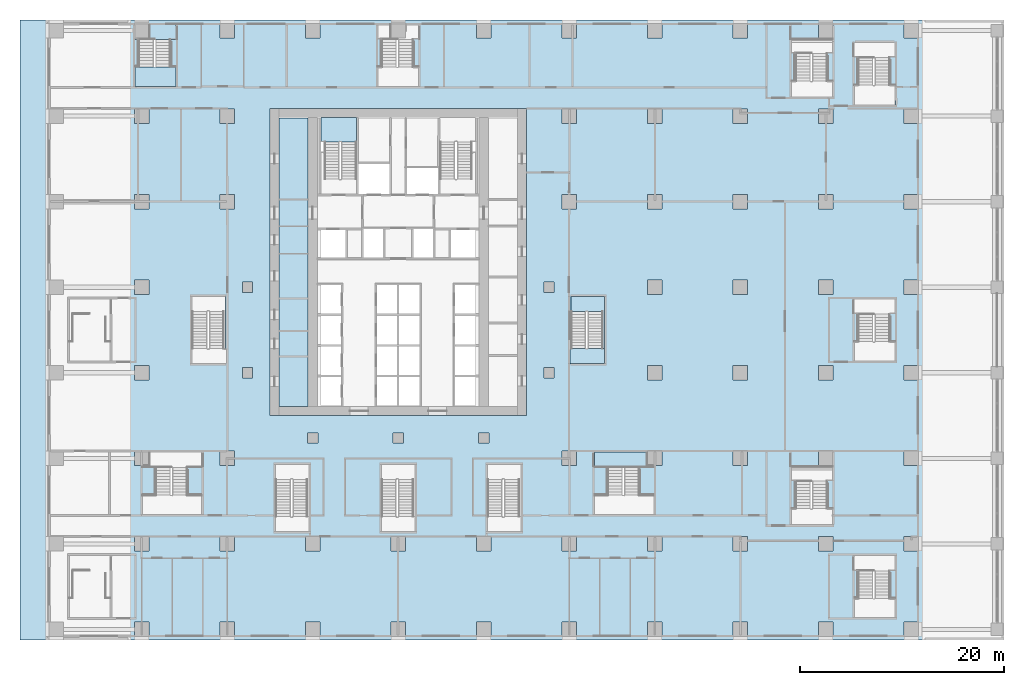
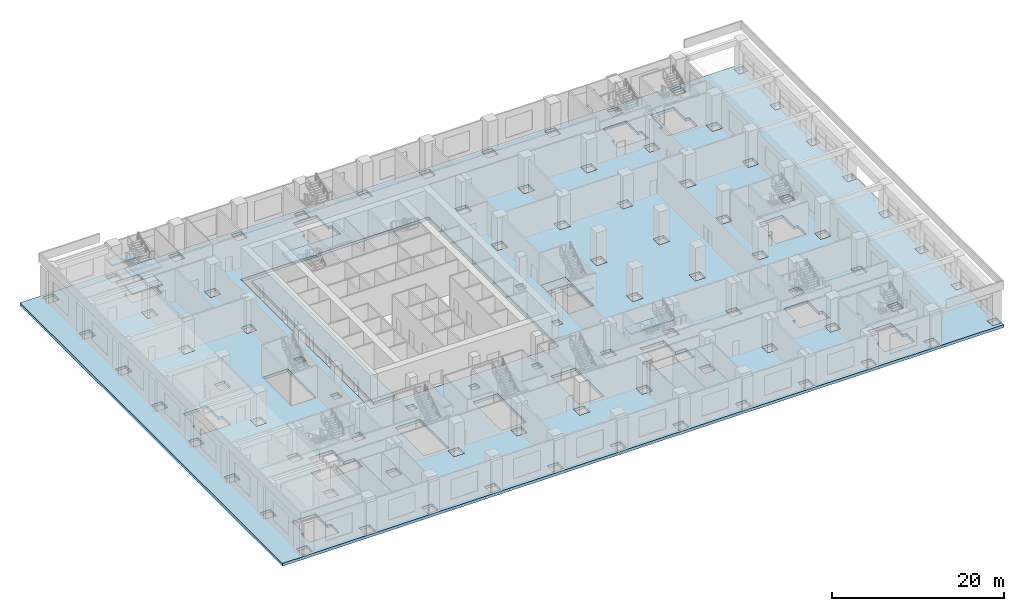
# One storey, part 5 of 29: 9 slabs, 4 elements without a shape of their own.
"""IFC4 building model written with IfcOpenShell, lengths in metres."""

from ifc_helpers import new_model, si_unit, direction, frame, origin, place, context, subcontext, project, spatial, polyline, outline, extrude, material, layer, layer_set, type_object, element, aggregate, save


model = new_model("IFC4")

# Units and contexts
model_context = context("Model", 3, precision=1e-05, world=origin(), true_north=direction((0.0, 1.0)))
body_context = subcontext(model_context, "Body", "Model", "MODEL_VIEW")
ifc_project = project(units=[si_unit("LENGTHUNIT", "METRE"), si_unit("AREAUNIT", "SQUARE_METRE"), si_unit("VOLUMEUNIT", "CUBIC_METRE"), si_unit("PLANEANGLEUNIT", "RADIAN"), si_unit("MASSUNIT", "GRAM", prefix="KILO")], contexts=[model_context])

# Site, building, storey
site_placement = place(None, origin())
site = spatial("IfcSite", under=ifc_project, at=site_placement, CompositionType="ELEMENT")
building_placement = place(site_placement, origin())
building = spatial("IfcBuilding", under=site, at=building_placement, Name="Vermilion Ogive Tower", CompositionType="ELEMENT")
storey_placement = place(building_placement, frame((0.0, 0.0, 7.5)))
storey = spatial("IfcBuildingStorey", under=building, at=storey_placement, Name="L01", CompositionType="ELEMENT", Elevation=7.5)

# Slabs
ifc_material_1 = material(Name="Concrete B40", Category="concrete")
ifc_layer_1 = layer(ifc_material_1, 0.39990234375)
ifc_layer_set_1 = layer_set([ifc_layer_1], Name="Core floor slab 400 B40")
slab_type_1 = type_object("IfcSlabType", Name="Core floor slab 400 B40", PredefinedType="FLOOR", material=ifc_layer_set_1)
slab_1_placement = place(storey_placement, frame((0.0, 0.0, -0.39990234375)))
element("IfcSlab", 1, at=slab_1_placement, inside=storey, type_object=slab_type_1, Name="L01-CK-FS1", PredefinedType="FLOOR", context=body_context, shape_type="SweptSolid", body=[
    extrude(outline(polyline([(-8.85400390625, -7.49609375), (-11.696044921875, -7.49609375), (-11.696044921875, 20.845947265625), (-8.85400390625, 20.845947265625), (-8.85400390625, -7.49609375)])), origin(), (0.0, 0.0, 1.0), 0.39990234375),
])
slab_2_placement = place(storey_placement, frame((0.0, 0.0, -0.39990234375)))
element("IfcSlab", 2, at=slab_2_placement, inside=storey, type_object=slab_type_1, Name="L01-SF-ST8-1", PredefinedType="FLOOR", context=body_context, shape_type="SweptSolid", body=[
    extrude(outline(polyline([(16.949951171875, 3.300048828125), (16.949951171875, 1.798095703125), (18.449951171875, 1.798095703125), (18.449951171875, 1.800048828125), (18.60009765625, 1.800048828125), (18.60009765625, 1.798095703125), (20.10009765625, 1.798095703125), (20.10009765625, -3.300048828125), (20.25, -3.300048828125), (20.25, 3.300048828125), (16.949951171875, 3.300048828125)])), origin(), (0.0, 0.0, 1.0), 0.39990234375),
])
ifc_material_2 = material(Name="Concrete B45", Category="concrete")
ifc_layer_2 = layer(ifc_material_2, 0.39990234375)
ifc_layer_set_2 = layer_set([ifc_layer_2], Name="Podium floor slab 400")
slab_type_2 = type_object("IfcSlabType", Name="Podium floor slab 400", PredefinedType="FLOOR", material=ifc_layer_set_2)
slab_3_placement = place(storey_placement, frame((0.0, 0.0, -0.39990234375)))
element("IfcSlab", 3, at=slab_3_placement, inside=storey, type_object=slab_type_2, Name="L01 floor slab 1", PredefinedType="FLOOR", context=body_context, shape_type="SweptSolid", body=[
    extrude(outline(polyline([(-37.14990234375, -30.449951171875), (59.5, -30.449951171875), (59.5, 30.449951171875), (-37.14990234375, 30.449951171875), (-37.14990234375, -30.449951171875)]), holes=[polyline([(-34.300048828125, -30.10009765625), (-34.300048828125, -28.699951171875), (-32.89990234375, -28.699951171875), (-32.89990234375, -30.10009765625), (-34.300048828125, -30.10009765625)]), polyline([(-25.89990234375, -28.699951171875), (-24.5, -28.699951171875), (-24.5, -30.10009765625), (-25.89990234375, -30.10009765625), (-25.89990234375, -28.699951171875)]), polyline([(-17.5, -28.699951171875), (-16.10009765625, -28.699951171875), (-16.10009765625, -30.10009765625), (-17.5, -30.10009765625), (-17.5, -28.699951171875)]), polyline([(-31.949951171875, -26.35009765625), (-31.949951171875, -23.64990234375), (-30.300048828125, -23.64990234375), (-30.300048828125, -23.652099609375), (-28.800048828125, -23.652099609375), (-28.800048828125, -26.35009765625), (-28.300048828125, -26.35009765625), (-28.300048828125, -28.275146484375), (-32.2998046875, -28.275146484375), (-32.2998046875, -26.35009765625), (-31.949951171875, -26.35009765625)]), polyline([(-17.5, -20.300048828125), (-16.10009765625, -20.300048828125), (-16.10009765625, -21.699951171875), (-17.5, -21.699951171875), (-17.5, -20.300048828125)]), polyline([(-34.300048828125, -20.300048828125), (-32.89990234375, -20.300048828125), (-32.89990234375, -21.699951171875), (-34.300048828125, -21.699951171875), (-34.300048828125, -20.300048828125)]), polyline([(-25.89990234375, -21.699951171875), (-25.89990234375, -20.300048828125), (-24.5, -20.300048828125), (-24.5, -21.699951171875), (-25.89990234375, -21.699951171875)]), polyline([(-22.35009765625, -13.5), (-22.199951171875, -13.5), (-22.199951171875, -13.501953125), (-20.699951171875, -13.501953125), (-20.699951171875, -13.5), (-20.699951171875, -13.5), (-20.699951171875, -16.199951171875), (-19.300048828125, -16.199951171875), (-19.300048828125, -18.125), (-25.099853515625, -18.125), (-25.099853515625, -16.199951171875), (-23.85009765625, -16.199951171875), (-23.85009765625, -13.5), (-23.85009765625, -13.5), (-23.85009765625, -13.501953125), (-22.35009765625, -13.501953125), (-22.35009765625, -13.5)]), polyline([(-34.300048828125, -11.89990234375), (-32.89990234375, -11.89990234375), (-32.89990234375, -13.300048828125), (-34.300048828125, -13.300048828125), (-34.300048828125, -11.89990234375)]), polyline([(-17.5, -13.300048828125), (-17.5, -11.89990234375), (-16.10009765625, -11.89990234375), (-16.10009765625, -13.300048828125), (-17.5, -13.300048828125)]), polyline([(-25.89990234375, -11.89990234375), (-24.5, -11.89990234375), (-24.5, -13.300048828125), (-25.89990234375, -13.300048828125), (-25.89990234375, -11.89990234375)]), polyline([(-34.300048828125, -3.5), (-32.89990234375, -3.5), (-32.89990234375, -4.89990234375), (-34.300048828125, -4.89990234375), (-34.300048828125, -3.5)]), polyline([(-25.89990234375, -4.89990234375), (-25.89990234375, -3.5), (-24.5, -3.5), (-24.5, -4.89990234375), (-25.89990234375, -4.89990234375)]), polyline([(-31.949951171875, 1.550048828125), (-30.300048828125, 1.550048828125), (-30.300048828125, 1.548095703125), (-28.800048828125, 1.548095703125), (-28.800048828125, -1.14990234375), (-28.300048828125, -1.14990234375), (-28.300048828125, -3.074951171875), (-32.3125, -3.074951171875), (-32.3125, -1.14990234375), (-31.949951171875, -1.14990234375), (-31.949951171875, 1.550048828125)]), polyline([(-20.25, 3.300048828125), (-16.949951171875, 3.300048828125), (-16.949951171875, -3.300048828125), (-20.25, -3.300048828125), (-20.25, 3.300048828125)]), polyline([(-25.89990234375, 3.5), (-25.89990234375, 4.89990234375), (-24.5, 4.89990234375), (-24.5, 3.5), (-25.89990234375, 3.5)]), polyline([(-34.300048828125, 4.89990234375), (-32.89990234375, 4.89990234375), (-32.89990234375, 3.5), (-34.300048828125, 3.5), (-34.300048828125, 4.89990234375)]), polyline([(-25.89990234375, 13.300048828125), (-24.5, 13.300048828125), (-24.5, 11.89990234375), (-25.89990234375, 11.89990234375), (-25.89990234375, 13.300048828125)]), polyline([(-34.300048828125, 11.89990234375), (-34.300048828125, 13.300048828125), (-32.89990234375, 13.300048828125), (-32.89990234375, 11.89990234375), (-34.300048828125, 11.89990234375)]), polyline([(-25.89990234375, 21.699951171875), (-24.5, 21.699951171875), (-24.5, 20.300048828125), (-25.89990234375, 20.300048828125), (-25.89990234375, 21.699951171875)]), polyline([(-17.5, 21.699951171875), (-16.10009765625, 21.699951171875), (-16.10009765625, 20.300048828125), (-17.5, 20.300048828125), (-17.5, 21.699951171875)]), polyline([(-34.300048828125, 21.699951171875), (-32.89990234375, 21.699951171875), (-32.89990234375, 20.300048828125), (-34.300048828125, 20.300048828125), (-34.300048828125, 21.699951171875)]), polyline([(-22.35009765625, 28.548095703125), (-22.35009765625, 25.85009765625), (-21.85009765625, 25.85009765625), (-21.85009765625, 23.925048828125), (-25.849853515625, 23.925048828125), (-25.849853515625, 25.85009765625), (-25.5, 25.85009765625), (-25.5, 28.548095703125), (-24.0, 28.548095703125), (-24.0, 28.550048828125), (-23.85009765625, 28.550048828125), (-23.85009765625, 28.548095703125), (-22.35009765625, 28.548095703125)]), polyline([(-17.5, 30.10009765625), (-16.10009765625, 30.10009765625), (-16.10009765625, 28.699951171875), (-17.5, 28.699951171875), (-17.5, 30.10009765625)]), polyline([(-34.300048828125, 30.10009765625), (-32.89990234375, 30.10009765625), (-32.89990234375, 28.699951171875), (-34.300048828125, 28.699951171875), (-34.300048828125, 30.10009765625)]), polyline([(-25.89990234375, 28.699951171875), (-25.89990234375, 30.10009765625), (-24.5, 30.10009765625), (-24.5, 28.699951171875), (-25.89990234375, 28.699951171875)]), polyline([(16.10009765625, -28.699951171875), (17.5, -28.699951171875), (17.5, -30.10009765625), (16.10009765625, -30.10009765625), (16.10009765625, -28.699951171875)]), polyline([(-0.699951171875, -28.699951171875), (0.699951171875, -28.699951171875), (0.699951171875, -30.10009765625), (-0.699951171875, -30.10009765625), (-0.699951171875, -28.699951171875)]), polyline([(7.699951171875, -30.10009765625), (7.699951171875, -28.699951171875), (9.10009765625, -28.699951171875), (9.10009765625, -30.10009765625), (7.699951171875, -30.10009765625)]), polyline([(-9.10009765625, -28.699951171875), (-7.699951171875, -28.699951171875), (-7.699951171875, -30.10009765625), (-9.10009765625, -30.10009765625), (-9.10009765625, -28.699951171875)]), polyline([(7.699951171875, -20.300048828125), (9.10009765625, -20.300048828125), (9.10009765625, -21.699951171875), (7.699951171875, -21.699951171875), (7.699951171875, -20.300048828125)]), polyline([(-0.699951171875, -21.699951171875), (-0.699951171875, -20.300048828125), (0.699951171875, -20.300048828125), (0.699951171875, -21.699951171875), (-0.699951171875, -21.699951171875)]), polyline([(-9.10009765625, -20.300048828125), (-7.699951171875, -20.300048828125), (-7.699951171875, -21.699951171875), (-9.10009765625, -21.699951171875), (-9.10009765625, -20.300048828125)]), polyline([(8.75, -13.199951171875), (12.050048828125, -13.199951171875), (12.050048828125, -19.800048828125), (8.75, -19.800048828125), (8.75, -13.199951171875)]), polyline([(-12.050048828125, -13.199951171875), (-8.75, -13.199951171875), (-8.75, -19.800048828125), (-12.050048828125, -19.800048828125), (-12.050048828125, -13.199951171875)]), polyline([(-1.64990234375, -13.199951171875), (1.64990234375, -13.199951171875), (1.64990234375, -19.800048828125), (-1.64990234375, -19.800048828125), (-1.64990234375, -13.199951171875)]), polyline([(-8.89990234375, -10.10009765625), (-7.89990234375, -10.10009765625), (-7.89990234375, -11.10009765625), (-8.89990234375, -11.10009765625), (-8.89990234375, -10.10009765625)]), polyline([(7.89990234375, -10.10009765625), (8.89990234375, -10.10009765625), (8.89990234375, -11.10009765625), (7.89990234375, -11.10009765625), (7.89990234375, -10.10009765625)]), polyline([(-0.5, -11.10009765625), (-0.5, -10.10009765625), (0.5, -10.10009765625), (0.5, -11.10009765625), (-0.5, -11.10009765625)]), polyline([(14.300048828125, -3.699951171875), (15.300048828125, -3.699951171875), (15.300048828125, -4.699951171875), (14.300048828125, -4.699951171875), (14.300048828125, -3.699951171875)]), polyline([(-15.300048828125, -3.699951171875), (-14.300048828125, -3.699951171875), (-14.300048828125, -4.699951171875), (-15.300048828125, -4.699951171875), (-15.300048828125, -3.699951171875)]), polyline([(14.300048828125, 3.699951171875), (14.300048828125, 4.699951171875), (15.300048828125, 4.699951171875), (15.300048828125, 3.699951171875), (14.300048828125, 3.699951171875)]), polyline([(-15.300048828125, 4.699951171875), (-14.300048828125, 4.699951171875), (-14.300048828125, 3.699951171875), (-15.300048828125, 3.699951171875), (-15.300048828125, 4.699951171875)]), polyline([(-12.60009765625, 21.75), (12.60009765625, 21.75), (12.60009765625, -8.39990234375), (-12.60009765625, -8.39990234375), (-12.60009765625, 21.75)]), polyline([(-17.5, 13.300048828125), (-16.10009765625, 13.300048828125), (-16.10009765625, 11.89990234375), (-17.5, 11.89990234375), (-17.5, 13.300048828125)]), polyline([(16.10009765625, 21.699951171875), (17.5, 21.699951171875), (17.5, 20.300048828125), (16.10009765625, 20.300048828125), (16.10009765625, 21.699951171875)]), polyline([(-0.14990234375, 28.548095703125), (-0.14990234375, 28.550048828125), (0.0, 28.550048828125), (0.0, 28.548095703125), (1.5, 28.548095703125), (1.5, 25.85009765625), (2.0, 25.85009765625), (2.0, 23.925048828125), (-2.0, 23.925048828125), (-2.0, 25.85009765625), (-1.64990234375, 25.85009765625), (-1.64990234375, 28.548095703125), (-0.14990234375, 28.548095703125)]), polyline([(-0.699951171875, 30.10009765625), (0.699951171875, 30.10009765625), (0.699951171875, 28.699951171875), (-0.699951171875, 28.699951171875), (-0.699951171875, 30.10009765625)]), polyline([(7.699951171875, 30.10009765625), (9.10009765625, 30.10009765625), (9.10009765625, 28.699951171875), (7.699951171875, 28.699951171875), (7.699951171875, 30.10009765625)]), polyline([(-9.10009765625, 28.699951171875), (-9.10009765625, 30.10009765625), (-7.699951171875, 30.10009765625), (-7.699951171875, 28.699951171875), (-9.10009765625, 28.699951171875)]), polyline([(41.300048828125, -28.699951171875), (42.699951171875, -28.699951171875), (42.699951171875, -30.10009765625), (41.300048828125, -30.10009765625), (41.300048828125, -28.699951171875)]), polyline([(32.89990234375, -28.699951171875), (34.300048828125, -28.699951171875), (34.300048828125, -30.10009765625), (32.89990234375, -30.10009765625), (32.89990234375, -28.699951171875)]), polyline([(24.5, -30.10009765625), (24.5, -28.699951171875), (25.89990234375, -28.699951171875), (25.89990234375, -30.10009765625), (24.5, -30.10009765625)]), polyline([(41.300048828125, -20.300048828125), (42.699951171875, -20.300048828125), (42.699951171875, -21.699951171875), (41.300048828125, -21.699951171875), (41.300048828125, -20.300048828125)]), polyline([(32.89990234375, -20.300048828125), (34.300048828125, -20.300048828125), (34.300048828125, -21.699951171875), (32.89990234375, -21.699951171875), (32.89990234375, -20.300048828125)]), polyline([(16.10009765625, -21.699951171875), (16.10009765625, -20.300048828125), (17.5, -20.300048828125), (17.5, -21.699951171875), (16.10009765625, -21.699951171875)]), polyline([(24.5, -20.300048828125), (25.89990234375, -20.300048828125), (25.89990234375, -21.699951171875), (24.5, -21.699951171875), (24.5, -20.300048828125)]), polyline([(40.64990234375, -14.85009765625), (40.64990234375, -14.85205078125), (42.14990234375, -14.85205078125), (42.14990234375, -17.550048828125), (42.64990234375, -17.550048828125), (42.64990234375, -19.125), (38.650146484375, -19.125), (38.650146484375, -17.550048828125), (39.0, -17.550048828125), (39.0, -14.85205078125), (40.5, -14.85205078125), (40.5, -14.85009765625), (40.64990234375, -14.85009765625)]), polyline([(19.300048828125, -18.125), (19.300048828125, -16.199951171875), (20.550048828125, -16.199951171875), (20.550048828125, -13.501953125), (22.050048828125, -13.501953125), (22.050048828125, -13.5), (22.199951171875, -13.5), (22.199951171875, -13.501953125), (23.699951171875, -13.501953125), (23.699951171875, -16.199951171875), (25.099853515625, -16.199951171875), (25.099853515625, -18.125), (19.300048828125, -18.125)]), polyline([(24.5, -11.89990234375), (25.89990234375, -11.89990234375), (25.89990234375, -13.300048828125), (24.5, -13.300048828125), (24.5, -11.89990234375)]), polyline([(32.89990234375, -11.89990234375), (34.300048828125, -11.89990234375), (34.300048828125, -13.300048828125), (32.89990234375, -13.300048828125), (32.89990234375, -11.89990234375)]), polyline([(16.10009765625, -11.89990234375), (17.5, -11.89990234375), (17.5, -13.300048828125), (16.10009765625, -13.300048828125), (16.10009765625, -11.89990234375)]), polyline([(24.5, -4.89990234375), (24.5, -3.5), (25.89990234375, -3.5), (25.89990234375, -4.89990234375), (24.5, -4.89990234375)]), polyline([(32.89990234375, -3.5), (34.300048828125, -3.5), (34.300048828125, -4.89990234375), (32.89990234375, -4.89990234375), (32.89990234375, -3.5)]), polyline([(20.25, -3.300048828125), (16.949951171875, -3.300048828125), (16.949951171875, -3.300048828125), (16.875, -3.300048828125), (16.875, -0.89990234375), (16.949951171875, -0.89990234375), (16.949951171875, 3.300048828125), (20.25, 3.300048828125), (20.25, -3.300048828125)]), polyline([(24.5, 3.5), (24.5, 4.89990234375), (25.89990234375, 4.89990234375), (25.89990234375, 3.5), (24.5, 3.5)]), polyline([(32.89990234375, 4.89990234375), (34.300048828125, 4.89990234375), (34.300048828125, 3.5), (32.89990234375, 3.5), (32.89990234375, 4.89990234375)]), polyline([(24.5, 13.300048828125), (25.89990234375, 13.300048828125), (25.89990234375, 11.89990234375), (24.5, 11.89990234375), (24.5, 13.300048828125)]), polyline([(32.89990234375, 11.89990234375), (32.89990234375, 13.300048828125), (34.300048828125, 13.300048828125), (34.300048828125, 11.89990234375), (32.89990234375, 11.89990234375)]), polyline([(16.10009765625, 13.300048828125), (17.5, 13.300048828125), (17.5, 11.89990234375), (16.10009765625, 11.89990234375), (16.10009765625, 13.300048828125)]), polyline([(24.5, 21.699951171875), (25.89990234375, 21.699951171875), (25.89990234375, 20.300048828125), (24.5, 20.300048828125), (24.5, 21.699951171875)]), polyline([(32.89990234375, 21.699951171875), (34.300048828125, 21.699951171875), (34.300048828125, 20.300048828125), (32.89990234375, 20.300048828125), (32.89990234375, 21.699951171875)]), polyline([(42.64990234375, 24.449951171875), (42.64990234375, 22.875), (38.650146484375, 22.875), (38.650146484375, 24.449951171875), (39.0, 24.449951171875), (39.0, 27.14794921875), (40.5, 27.14794921875), (40.5, 27.14990234375), (40.64990234375, 27.14990234375), (40.64990234375, 27.14794921875), (42.14990234375, 27.14794921875), (42.14990234375, 24.449951171875), (42.64990234375, 24.449951171875)]), polyline([(24.5, 30.10009765625), (25.89990234375, 30.10009765625), (25.89990234375, 28.699951171875), (24.5, 28.699951171875), (24.5, 30.10009765625)]), polyline([(32.89990234375, 30.10009765625), (34.300048828125, 30.10009765625), (34.300048828125, 28.699951171875), (32.89990234375, 28.699951171875), (32.89990234375, 30.10009765625)]), polyline([(16.10009765625, 28.699951171875), (16.10009765625, 30.10009765625), (17.5, 30.10009765625), (17.5, 28.699951171875), (16.10009765625, 28.699951171875)]), polyline([(58.199951171875, -28.800048828125), (59.39990234375, -28.800048828125), (59.39990234375, -30.0), (58.199951171875, -30.0), (58.199951171875, -28.800048828125)]), polyline([(49.699951171875, -28.699951171875), (51.10009765625, -28.699951171875), (51.10009765625, -30.10009765625), (49.699951171875, -30.10009765625), (49.699951171875, -28.699951171875)]), polyline([(44.800048828125, -26.35009765625), (45.14990234375, -26.35009765625), (45.14990234375, -23.64990234375), (45.14990234375, -23.64990234375), (45.14990234375, -23.652099609375), (46.64990234375, -23.652099609375), (46.64990234375, -23.64990234375), (46.800048828125, -23.64990234375), (46.800048828125, -23.652099609375), (48.300048828125, -23.652099609375), (48.300048828125, -23.64990234375), (48.300048828125, -23.64990234375), (48.300048828125, -26.35009765625), (48.8125, -26.35009765625), (48.8125, -28.25), (44.800048828125, -28.25), (44.800048828125, -26.35009765625)]), polyline([(58.199951171875, -20.39990234375), (59.39990234375, -20.39990234375), (59.39990234375, -21.60009765625), (58.199951171875, -21.60009765625), (58.199951171875, -20.39990234375)]), polyline([(49.699951171875, -20.300048828125), (51.10009765625, -20.300048828125), (51.10009765625, -21.699951171875), (49.699951171875, -21.699951171875), (49.699951171875, -20.300048828125)]), polyline([(41.300048828125, -13.300048828125), (41.300048828125, -11.89990234375), (42.699951171875, -11.89990234375), (42.699951171875, -13.300048828125), (41.300048828125, -13.300048828125)]), polyline([(58.199951171875, -12.0), (59.39990234375, -12.0), (59.39990234375, -13.199951171875), (58.199951171875, -13.199951171875), (58.199951171875, -12.0)]), polyline([(49.699951171875, -11.89990234375), (51.10009765625, -11.89990234375), (51.10009765625, -13.300048828125), (49.699951171875, -13.300048828125), (49.699951171875, -11.89990234375)]), polyline([(41.300048828125, -3.5), (42.699951171875, -3.5), (42.699951171875, -4.89990234375), (41.300048828125, -4.89990234375), (41.300048828125, -3.5)]), polyline([(58.199951171875, -3.60009765625), (59.39990234375, -3.60009765625), (59.39990234375, -4.800048828125), (58.199951171875, -4.800048828125), (58.199951171875, -3.60009765625)]), polyline([(49.699951171875, -3.5), (51.10009765625, -3.5), (51.10009765625, -4.89990234375), (49.699951171875, -4.89990234375), (49.699951171875, -3.5)]), polyline([(45.14990234375, -3.0498046875), (44.800048828125, -3.0498046875), (44.800048828125, -1.14990234375), (45.14990234375, -1.14990234375), (45.14990234375, 1.550048828125), (45.14990234375, 1.550048828125), (45.14990234375, 1.548095703125), (46.64990234375, 1.548095703125), (46.64990234375, 1.550048828125), (46.800048828125, 1.550048828125), (46.800048828125, 1.548095703125), (48.300048828125, 1.548095703125), (48.300048828125, 1.550048828125), (48.300048828125, 1.550048828125), (48.300048828125, -1.14990234375), (48.8125, -1.14990234375), (48.8125, -3.0498046875), (48.300048828125, -3.0498046875), (48.300048828125, -3.050048828125), (45.14990234375, -3.050048828125), (45.14990234375, -3.0498046875)]), polyline([(58.199951171875, 3.60009765625), (58.199951171875, 4.800048828125), (59.39990234375, 4.800048828125), (59.39990234375, 3.60009765625), (58.199951171875, 3.60009765625)]), polyline([(41.300048828125, 4.89990234375), (42.699951171875, 4.89990234375), (42.699951171875, 3.5), (41.300048828125, 3.5), (41.300048828125, 4.89990234375)]), polyline([(49.699951171875, 4.89990234375), (51.10009765625, 4.89990234375), (51.10009765625, 3.5), (49.699951171875, 3.5), (49.699951171875, 4.89990234375)]), polyline([(58.199951171875, 12.0), (58.199951171875, 13.199951171875), (59.39990234375, 13.199951171875), (59.39990234375, 12.0), (58.199951171875, 12.0)]), polyline([(49.699951171875, 13.300048828125), (51.10009765625, 13.300048828125), (51.10009765625, 11.89990234375), (49.699951171875, 11.89990234375), (49.699951171875, 13.300048828125)]), polyline([(41.300048828125, 13.300048828125), (42.699951171875, 13.300048828125), (42.699951171875, 11.89990234375), (41.300048828125, 11.89990234375), (41.300048828125, 13.300048828125)]), polyline([(49.699951171875, 20.300048828125), (49.699951171875, 21.699951171875), (51.10009765625, 21.699951171875), (51.10009765625, 20.300048828125), (49.699951171875, 20.300048828125)]), polyline([(58.199951171875, 21.60009765625), (59.39990234375, 21.60009765625), (59.39990234375, 20.39990234375), (58.199951171875, 20.39990234375), (58.199951171875, 21.60009765625)]), polyline([(41.300048828125, 21.699951171875), (42.699951171875, 21.699951171875), (42.699951171875, 20.300048828125), (41.300048828125, 20.300048828125), (41.300048828125, 21.699951171875)]), polyline([(48.300048828125, 24.050048828125), (48.8125, 24.050048828125), (48.8125, 22.125), (44.800048828125, 22.125), (44.800048828125, 24.050048828125), (45.14990234375, 24.050048828125), (45.14990234375, 26.75), (45.14990234375, 26.75), (45.14990234375, 26.748046875), (46.64990234375, 26.748046875), (46.64990234375, 26.75), (46.800048828125, 26.75), (46.800048828125, 26.748046875), (48.300048828125, 26.748046875), (48.300048828125, 26.75), (48.300048828125, 26.75), (48.300048828125, 24.050048828125)]), polyline([(49.699951171875, 30.10009765625), (51.10009765625, 30.10009765625), (51.10009765625, 28.699951171875), (49.699951171875, 28.699951171875), (49.699951171875, 30.10009765625)]), polyline([(41.300048828125, 30.10009765625), (42.699951171875, 30.10009765625), (42.699951171875, 28.699951171875), (41.300048828125, 28.699951171875), (41.300048828125, 30.10009765625)]), polyline([(58.199951171875, 30.0), (59.39990234375, 30.0), (59.39990234375, 28.800048828125), (58.199951171875, 28.800048828125), (58.199951171875, 30.0)])]), origin(), (0.0, 0.0, 1.0), 0.39990234375),
])

# Stair, slab
ifc_material_3 = material(Name="Concrete B40", Category="concrete")
stair_type = type_object("IfcStairType", Name="Exit stair 1500", PredefinedType="HALF_TURN_STAIR", material=ifc_material_3)
stair_1_placement = place(storey_placement, origin())
stair_1 = element("IfcStair", 4, at=stair_1_placement, inside=storey, type_object=stair_type, Name="L01 Exit Stair ST1", PredefinedType="HALF_TURN_STAIR")
ifc_material_4 = material(Name="Concrete B40", Category="concrete")
ifc_layer_3 = layer(ifc_material_4, 0.199951171875)
ifc_layer_set_3 = layer_set([ifc_layer_3], Name="Stair landing 200")
slab_type_3 = type_object("IfcSlabType", Name="Stair landing 200", PredefinedType="LANDING", material=ifc_layer_set_3)
slab_4_placement = place(storey_placement, frame((0.0, 0.0, 2.300048828125)))
slab_4 = element("IfcSlab", 5, at=slab_4_placement, type_object=slab_type_3, Name="ST1 landing 1", PredefinedType="LANDING", context=body_context, shape_type="SweptSolid", body=[
    extrude(outline(polyline([(-7.60009765625, 18.489990234375), (-7.25, 18.489990234375), (-7.25, 18.488037109375), (-5.75, 18.488037109375), (-5.75, 18.489990234375), (-5.60009765625, 18.489990234375), (-5.60009765625, 18.488037109375), (-4.10009765625, 18.488037109375), (-4.10009765625, 20.85009765625), (-7.60009765625, 20.85009765625), (-7.60009765625, 18.489990234375)])), origin(), (0.0, 0.0, 1.0), 0.199951171875),
])
aggregate(stair_1, [slab_4])

stair_2_placement = place(storey_placement, origin())
stair_2 = element("IfcStair", 6, at=stair_2_placement, inside=storey, type_object=stair_type, Name="L01 Exit Stair ST8", PredefinedType="HALF_TURN_STAIR")
slab_5_placement = place(storey_placement, frame((0.0, 0.0, 2.300048828125)))
slab_5 = element("IfcSlab", 7, at=slab_5_placement, type_object=slab_type_3, Name="ST8 landing 1", PredefinedType="LANDING", context=body_context, shape_type="SweptSolid", body=[
    extrude(outline(polyline([(20.25, -1.800048828125), (20.10009765625, -1.800048828125), (20.10009765625, -1.798095703125), (18.60009765625, -1.798095703125), (18.60009765625, -1.800048828125), (18.449951171875, -1.800048828125), (18.449951171875, -1.798095703125), (16.949951171875, -1.798095703125), (16.949951171875, -1.800048828125), (16.875, -1.800048828125), (16.875, -3.300048828125), (20.25, -3.300048828125), (20.25, -1.800048828125)])), origin(), (0.0, 0.0, 1.0), 0.199951171875),
])
aggregate(stair_2, [slab_5])

# Stair, slabs
stair_3_placement = place(storey_placement, origin())
stair_3 = element("IfcStair", 8, at=stair_3_placement, inside=storey, type_object=stair_type, Name="L01 Exit Stair PS1", PredefinedType="HALF_TURN_STAIR")
slab_6_placement = place(storey_placement, frame((0.0, 0.0, 1.050048828125)))
slab_6 = element("IfcSlab", 9, at=slab_6_placement, type_object=slab_type_3, Name="PS1 landing 1", PredefinedType="LANDING", context=body_context, shape_type="SweptSolid", body=[
    extrude(outline(polyline([(-21.85009765625, 25.85009765625), (-22.35009765625, 25.85009765625), (-22.35009765625, 25.85205078125), (-23.85009765625, 25.85205078125), (-23.85009765625, 25.85009765625), (-24.0, 25.85009765625), (-24.0, 25.85205078125), (-25.5, 25.85205078125), (-25.5, 25.85009765625), (-25.849853515625, 25.85009765625), (-25.849853515625, 23.925048828125), (-21.85009765625, 23.925048828125), (-21.85009765625, 25.85009765625)])), origin(), (0.0, 0.0, 1.0), 0.199951171875),
])
slab_7_placement = place(storey_placement, frame((0.0, 0.0, 2.300048828125)))
slab_7 = element("IfcSlab", 10, at=slab_7_placement, type_object=slab_type_3, Name="PS1 landing 2", PredefinedType="LANDING", context=body_context, shape_type="SweptSolid", body=[
    extrude(outline(polyline([(-25.849853515625, 28.550048828125), (-25.5, 28.550048828125), (-25.5, 28.548095703125), (-24.0, 28.548095703125), (-24.0, 28.550048828125), (-23.85009765625, 28.550048828125), (-23.85009765625, 28.548095703125), (-22.35009765625, 28.548095703125), (-22.35009765625, 28.550048828125), (-21.85009765625, 28.550048828125), (-21.85009765625, 30.050048828125), (-25.849853515625, 30.050048828125), (-25.849853515625, 28.550048828125)])), origin(), (0.0, 0.0, 1.0), 0.199951171875),
])
slab_8_placement = place(storey_placement, frame((0.0, 0.0, 3.550048828125)))
slab_8 = element("IfcSlab", 11, at=slab_8_placement, type_object=slab_type_3, Name="PS1 landing 3", PredefinedType="LANDING", context=body_context, shape_type="SweptSolid", body=[
    extrude(outline(polyline([(-21.85009765625, 25.85009765625), (-22.35009765625, 25.85009765625), (-22.35009765625, 25.85205078125), (-23.85009765625, 25.85205078125), (-23.85009765625, 25.85009765625), (-24.0, 25.85009765625), (-24.0, 25.85205078125), (-25.5, 25.85205078125), (-25.5, 25.85009765625), (-25.849853515625, 25.85009765625), (-25.849853515625, 23.925048828125), (-21.85009765625, 23.925048828125), (-21.85009765625, 25.85009765625)])), origin(), (0.0, 0.0, 1.0), 0.199951171875),
])
aggregate(stair_3, [slab_6, slab_7, slab_8])

# Stair, slab
stair_4_placement = place(storey_placement, origin())
stair_4 = element("IfcStair", 12, at=stair_4_placement, inside=storey, type_object=stair_type, Name="L01 Exit Stair PS3", PredefinedType="HALF_TURN_STAIR")
slab_9_placement = place(storey_placement, frame((0.0, 0.0, 2.300048828125)))
slab_9 = element("IfcSlab", 13, at=slab_9_placement, type_object=slab_type_3, Name="PS3 landing 2", PredefinedType="LANDING", context=body_context, shape_type="SweptSolid", body=[
    extrude(outline(polyline([(19.300048828125, -13.5), (20.550048828125, -13.5), (20.550048828125, -13.501953125), (22.050048828125, -13.501953125), (22.050048828125, -13.5), (22.199951171875, -13.5), (22.199951171875, -13.501953125), (23.699951171875, -13.501953125), (23.699951171875, -13.5), (25.099853515625, -13.5), (25.099853515625, -12.0), (19.300048828125, -12.0), (19.300048828125, -13.5)])), origin(), (0.0, 0.0, 1.0), 0.199951171875),
])
aggregate(stair_4, [slab_9])

save(model, "model.ifc")
